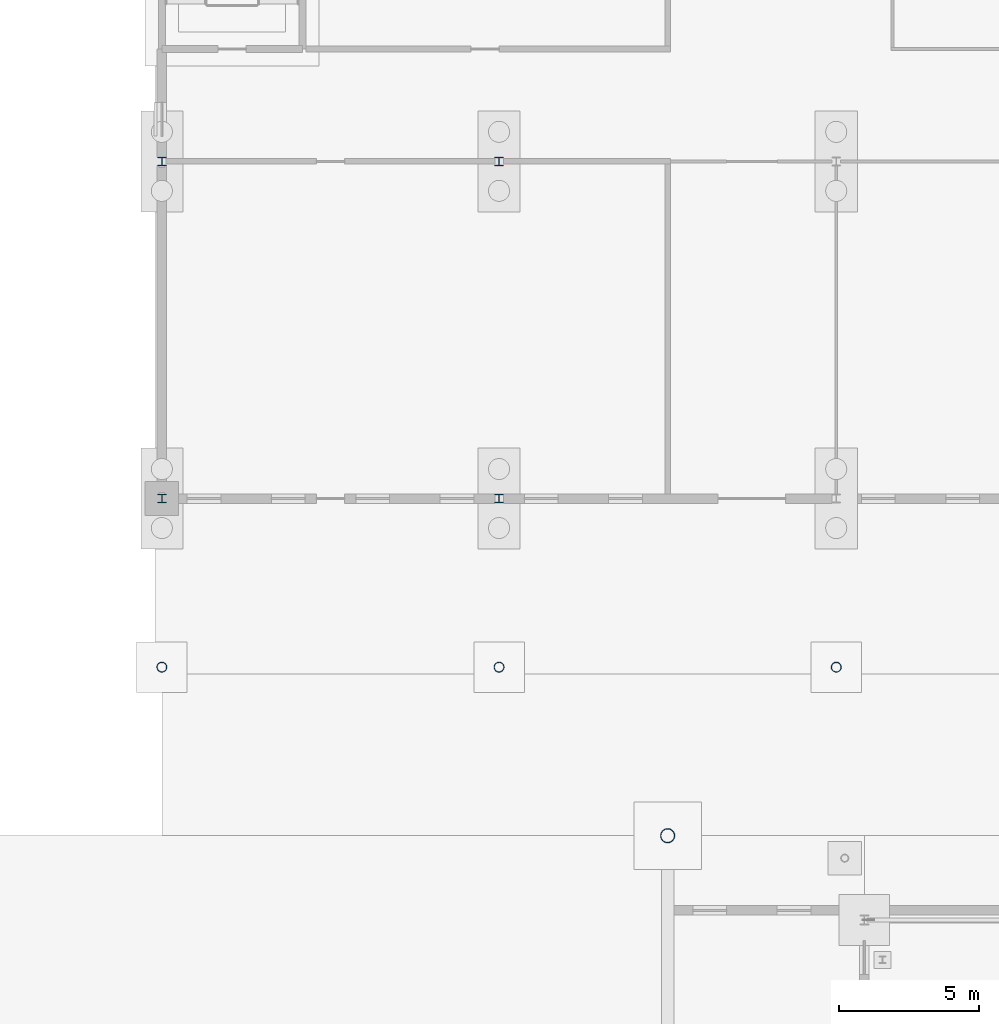
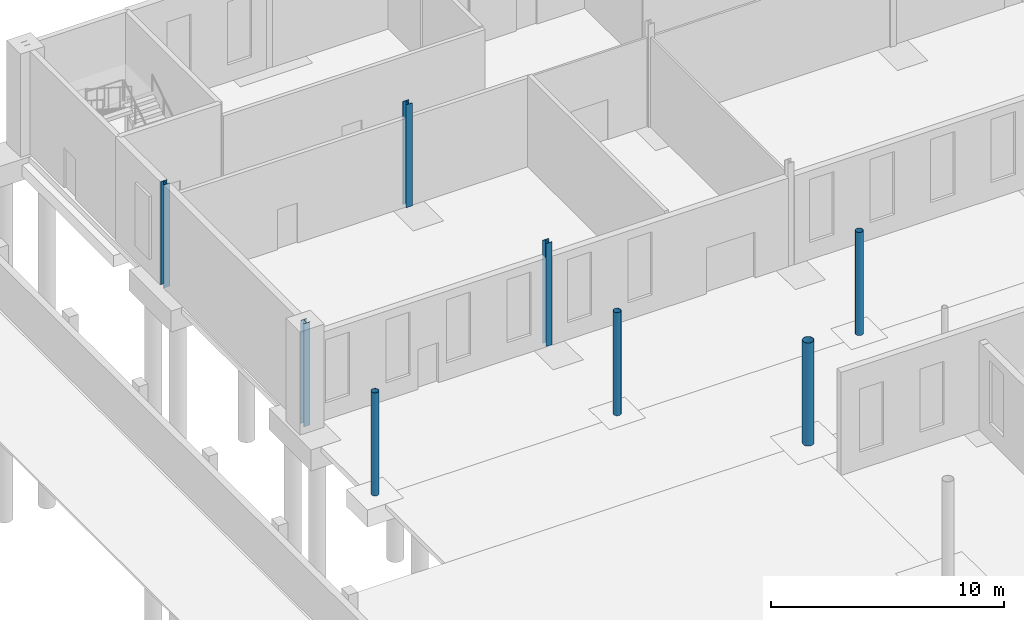
# One storey, part 32 of 132: 8 columns.
"""IFC4 building model written with IfcOpenShell, lengths in metres."""

from ifc_helpers import new_model, si_unit, direction, frame, origin, origin_2d, place, context, subcontext, project, spatial, hollow_circle, i_section, extrude, material, material_profile, profile_set, type_object, element, save


model = new_model("IFC4")

# Units and contexts
model_context = context("Model", 3, precision=1e-05, world=origin(), true_north=direction((0.0, 1.0)))
body_context = subcontext(model_context, "Body", "Model", "MODEL_VIEW")
ifc_project = project(units=[si_unit("LENGTHUNIT", "METRE"), si_unit("AREAUNIT", "SQUARE_METRE"), si_unit("VOLUMEUNIT", "CUBIC_METRE"), si_unit("PLANEANGLEUNIT", "RADIAN"), si_unit("MASSUNIT", "GRAM", prefix="KILO")], contexts=[model_context])

# Site, building, storey
site_placement = place(None, origin())
site = spatial("IfcSite", under=ifc_project, at=site_placement, CompositionType="ELEMENT")
building_placement = place(site_placement, origin())
building = spatial("IfcBuilding", under=site, at=building_placement, Name="Ravi Spectrum Wholesale Market", CompositionType="ELEMENT")
storey_placement = place(building_placement, origin())
storey = spatial("IfcBuildingStorey", under=building, at=storey_placement, Name="L00", CompositionType="ELEMENT", Elevation=0.0)

# Columns
ifc_material_1 = material(Name="Steel S355", Category="steel")
ifc_material_profile_1 = material_profile(ifc_material_1, hollow_circle(Radius=0.177734375, WallThickness=0.012451171875, at=origin_2d()))
ifc_profile_set_1 = profile_set([ifc_material_profile_1], Name="Steel S355")
column_type_1 = type_object("IfcColumnType", Name="CHS 355.6x12.5 column", PredefinedType="COLUMN", material=ifc_profile_set_1)
for number, where, z_axis, x_axis, name in (
    (1, (12.0, 204.0, 0.0), (0.0, 0.0, 1.0), (1.0, 0.0, 0.0), "OF-COL-L00-016"),
    (2, (24.0, 204.0, 0.0), (0.0, 0.0, 1.0), (1.0, 0.0, 0.0), "OF-COL-L00-017"),
    (3, (36.0, 204.0, 0.0), (0.0, 0.0, 1.0), (1.0, 0.0, 0.0), "OF-COL-L00-018"),
):
    element("IfcColumn", number, at=place(storey_placement, frame(where, z_axis=z_axis, x_axis=x_axis)), inside=storey, type_object=column_type_1, Name=name, PredefinedType="COLUMN", context=body_context, shape_type="SweptSolid", body=[
        extrude(hollow_circle(Radius=0.177734375, WallThickness=0.012451171875, at=origin_2d()), origin(), (0.0, 0.0, 1.0), 5.39990234375),
    ])
ifc_material_2 = material(Name="Steel S355", Category="steel")
ifc_material_profile_2 = material_profile(ifc_material_2, hollow_circle(Radius=0.25390625, WallThickness=0.01611328125, at=origin_2d()))
ifc_profile_set_2 = profile_set([ifc_material_profile_2], Name="Steel S355")
column_type_2 = type_object("IfcColumnType", Name="CHS 508x16 column", PredefinedType="COLUMN", material=ifc_profile_set_2)
column_placement = place(storey_placement, frame((30.0, 198.0, 0.0), z_axis=(0.0, 0.0, 1.0), x_axis=(1.0, 0.0, 0.0)))
element("IfcColumn", 4, at=column_placement, inside=storey, type_object=column_type_2, Name="H1-COL-L00-015", PredefinedType="COLUMN", context=body_context, shape_type="SweptSolid", body=[
    extrude(hollow_circle(Radius=0.25390625, WallThickness=0.01611328125, at=origin_2d()), origin(), (0.0, 0.0, 1.0), 5.39990234375),
])
ifc_material_3 = material(Name="Steel S355", Category="steel")
ifc_material_profile_3 = material_profile(ifc_material_3, i_section(OverallWidth=0.300048828125, OverallDepth=0.300048828125, WebThickness=0.010986328125, FlangeThickness=0.01904296875, at=origin_2d()))
ifc_profile_set_3 = profile_set([ifc_material_profile_3], Name="Steel S355")
column_type_3 = type_object("IfcColumnType", Name="HEB 300 column", PredefinedType="COLUMN", material=ifc_profile_set_3)
for number, where, z_axis, x_axis, name in (
    (5, (12.0, 210.0, 0.0), (0.0, 0.0, 1.0), (1.0, 0.0, 0.0), "OF-COL-L00-001"),
    (6, (12.0, 222.0, 0.0), (0.0, 0.0, 1.0), (1.0, 0.0, 0.0), "OF-COL-L00-002"),
    (7, (24.0, 210.0, 0.0), (0.0, 0.0, 1.0), (1.0, 0.0, 0.0), "OF-COL-L00-004"),
    (8, (24.0, 222.0, 0.0), (0.0, 0.0, 1.0), (1.0, 0.0, 0.0), "OF-COL-L00-005"),
):
    element("IfcColumn", number, at=place(storey_placement, frame(where, z_axis=z_axis, x_axis=x_axis)), inside=storey, type_object=column_type_3, Name=name, PredefinedType="COLUMN", context=body_context, shape_type="SweptSolid", body=[
        extrude(i_section(OverallWidth=0.300048828125, OverallDepth=0.300048828125, WebThickness=0.010986328125, FlangeThickness=0.01904296875, at=origin_2d()), origin(), (0.0, 0.0, 1.0), 5.39990234375),
    ])

save(model, "model.ifc")
